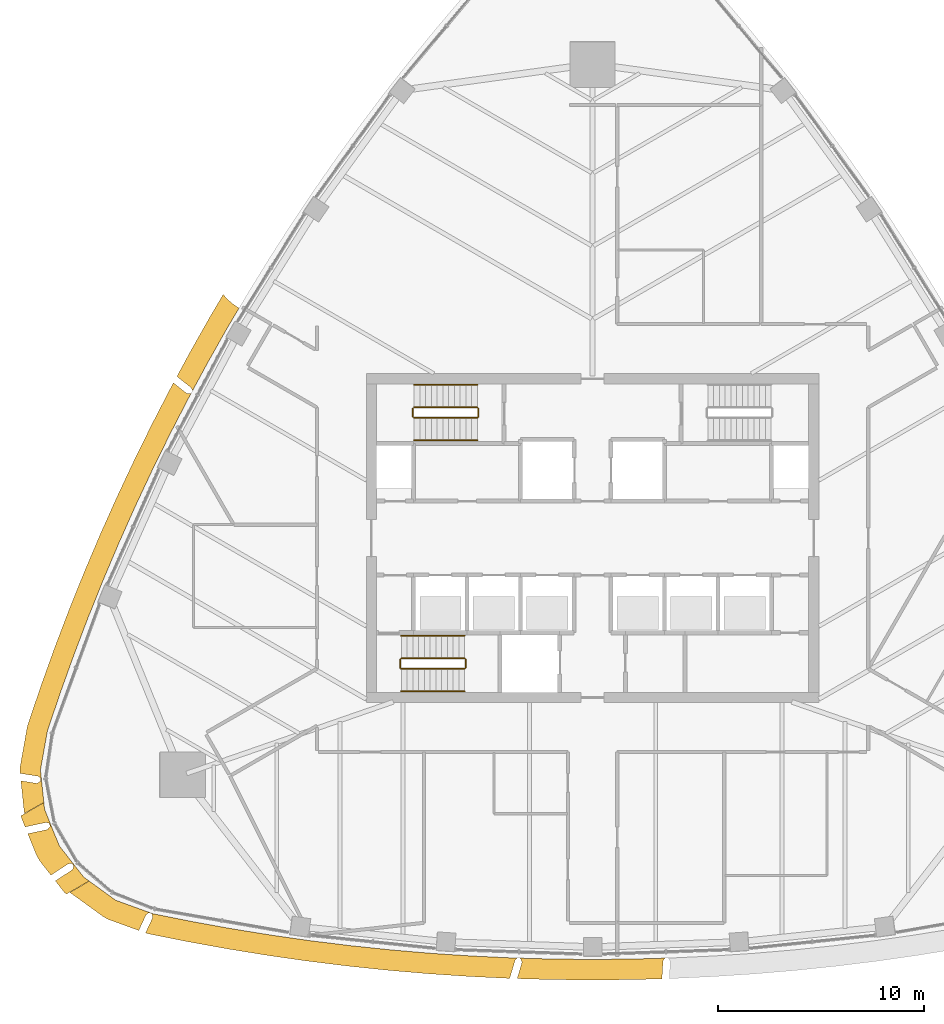
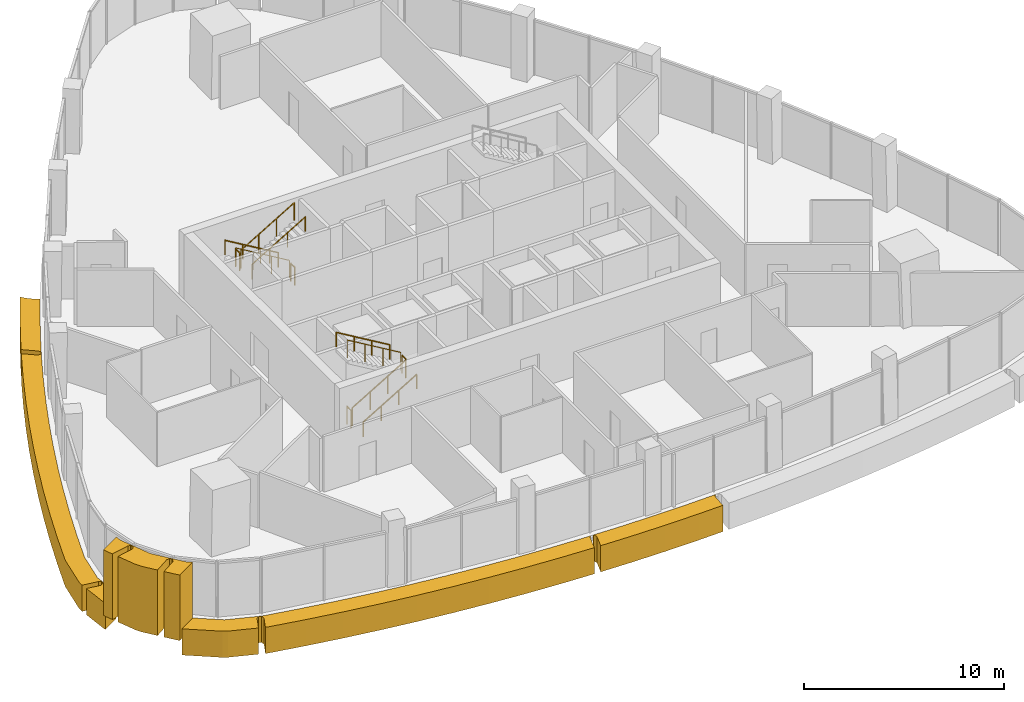
# One storey, part 12 of 15: 12 railings, 5 coverings.
"""IFC4 building model written with IfcOpenShell, lengths in metres."""

from ifc_helpers import new_model, si_unit, direction, frame, origin, origin_2d, place, context, subcontext, project, spatial, polyline, circle, outline, extrude, material, layer, layer_set, type_object, element, save


model = new_model("IFC4")

# Units and contexts
model_context = context("Model", 3, precision=1e-05, world=origin(), true_north=direction((0.0, 1.0)))
body_context = subcontext(model_context, "Body", "Model", "MODEL_VIEW")
ifc_project = project(units=[si_unit("LENGTHUNIT", "METRE"), si_unit("AREAUNIT", "SQUARE_METRE"), si_unit("VOLUMEUNIT", "CUBIC_METRE"), si_unit("PLANEANGLEUNIT", "RADIAN"), si_unit("MASSUNIT", "GRAM", prefix="KILO")], contexts=[model_context])

# Site, building, storey
site_placement = place(None, origin())
site = spatial("IfcSite", under=ifc_project, at=site_placement, CompositionType="ELEMENT")
building_placement = place(site_placement, origin())
building = spatial("IfcBuilding", under=site, at=building_placement, Name="Sierra Prisma Convention Tower", CompositionType="ELEMENT")
storey_placement = place(building_placement, frame((0.0, 0.0, 315.0)))
storey = spatial("IfcBuildingStorey", under=building, at=storey_placement, Name="L72", CompositionType="ELEMENT", Elevation=315.0)

# Coverings
ifc_material_1 = material(Name="Aluminium composite bronze anodised", Category="aluminium")
ifc_layer_1 = layer(ifc_material_1, 1.199951171875)
ifc_layer_set_1 = layer_set([ifc_layer_1], Name="Bronze corner pier")
covering_type_1 = type_object("IfcCoveringType", Name="Bronze corner pier", PredefinedType="CLADDING", material=ifc_layer_set_1)
covering_1_placement = place(storey_placement, frame((0.0, 0.0, -0.60009765625)))
element("IfcCovering", 1, at=covering_1_placement, inside=storey, type_object=covering_type_1, Name="Corner pier SW L72.1", PredefinedType="CLADDING", context=body_context, shape_type="SweptSolid", body=[
    extrude(outline(polyline([(-26.672607421875, -12.859130859375), (-26.638916015625, -13.182861328125), (-25.919921875, -14.96484375), (-24.736083984375, -16.478515625), (-24.47265625, -16.669677734375), (-25.584228515625, -17.3115234375), (-25.681396484375, -17.2177734375), (-26.114990234375, -16.663330078125), (-25.301513671875, -16.134765625), (-25.297607421875, -16.1318359375), (-25.293701171875, -16.12841796875), (-25.290283203125, -16.124755859375), (-25.287353515625, -16.12060546875), (-25.284912109375, -16.116455078125), (-25.28271484375, -16.11181640625), (-25.225341796875, -15.972412109375), (-25.223876953125, -15.968017578125), (-25.22265625, -15.96337890625), (-25.221923828125, -15.95849609375), (-25.2216796875, -15.953857421875), (-25.221923828125, -15.948974609375), (-25.222412109375, -15.9443359375), (-25.2236328125, -15.939697265625), (-25.22509765625, -15.93505859375), (-25.22705078125, -15.930908203125), (-25.2294921875, -15.926513671875), (-25.232421875, -15.922607421875), (-25.2939453125, -15.843994140625), (-25.297119140625, -15.840087890625), (-25.300537109375, -15.8369140625), (-25.304443359375, -15.833984375), (-25.30859375, -15.831298828125), (-25.312744140625, -15.8291015625), (-25.3173828125, -15.827392578125), (-25.322021484375, -15.825927734375), (-25.326904296875, -15.8251953125), (-25.33154296875, -15.82470703125), (-25.33642578125, -15.82470703125), (-25.46826171875, -15.833251953125), (-25.473388671875, -15.833984375), (-25.478515625, -15.8349609375), (-25.4833984375, -15.836669921875), (-25.48779296875, -15.838623046875), (-25.492431640625, -15.84130859375), (-26.331298828125, -16.38671875), (-26.864990234375, -15.703857421875), (-27.03271484375, -15.413818359375), (-27.453125, -14.3720703125), (-26.50830078125, -14.171630859375), (-26.503662109375, -14.17041015625), (-26.499267578125, -14.1689453125), (-26.4951171875, -14.1669921875), (-26.4912109375, -14.16455078125), (-26.4873046875, -14.161865234375), (-26.48388671875, -14.15869140625), (-26.480712890625, -14.1552734375), (-26.376708984375, -14.034423828125), (-26.37353515625, -14.030517578125), (-26.370849609375, -14.0263671875), (-26.36865234375, -14.02197265625), (-26.366943359375, -14.017333984375), (-26.36572265625, -14.012451171875), (-26.364990234375, -14.007568359375), (-26.364501953125, -14.002685546875), (-26.36474609375, -13.99755859375), (-26.365478515625, -13.99267578125), (-26.366455078125, -13.98779296875), (-26.3681640625, -13.983154296875), (-26.405517578125, -13.890380859375), (-26.40771484375, -13.8857421875), (-26.410400390625, -13.88134765625), (-26.41357421875, -13.877197265625), (-26.4169921875, -13.873291015625), (-26.4208984375, -13.8701171875), (-26.425048828125, -13.866943359375), (-26.4296875, -13.864501953125), (-26.434326171875, -13.8623046875), (-26.439208984375, -13.86083984375), (-26.557861328125, -13.829833984375), (-26.5625, -13.828857421875), (-26.56689453125, -13.828369140625), (-26.571533203125, -13.828125), (-26.576416015625, -13.82861328125), (-26.580810546875, -13.8291015625), (-27.586181640625, -14.04248046875), (-27.751708984375, -13.6318359375), (-27.7841796875, -13.5009765625), (-26.672607421875, -12.859130859375)])), origin(), (0.0, 0.0, 1.0), 4.0),
])
ifc_material_2 = material(Name="Aluminium composite bronze anodised", Category="aluminium")
ifc_layer_2 = layer(ifc_material_2, 1.0)
ifc_layer_set_2 = layer_set([ifc_layer_2], Name="Bronze spandrel band")
covering_type_2 = type_object("IfcCoveringType", Name="Bronze spandrel band", PredefinedType="CLADDING", material=ifc_layer_set_2)
covering_2_placement = place(storey_placement, frame((0.0, 0.0, -1.60009765625)))
element("IfcCovering", 2, at=covering_2_placement, inside=storey, type_object=covering_type_2, Name="Spandrel band L72.1", PredefinedType="CLADDING", context=body_context, shape_type="SweptSolid", body=[
    extrude(outline(polyline([(-23.943603515625, 0.1533203125), (-23.936279296875, 0.17041015625), (-23.13818359375, 1.95751953125), (-23.13037109375, 1.974609375), (-22.298828125, 3.74609375), (-22.290771484375, 3.762939453125), (-21.426025390625, 5.5185546875), (-21.41748046875, 5.535400390625), (-20.52001953125, 7.2744140625), (-20.51123046875, 7.291015625), (-20.37451171875, 7.5439453125), (-19.73486328125, 7.037109375), (-19.731201171875, 7.034423828125), (-19.72705078125, 7.031982421875), (-19.722900390625, 7.0302734375), (-19.718505859375, 7.028564453125), (-19.714111328125, 7.02734375), (-19.70947265625, 7.026611328125), (-19.704833984375, 7.0263671875), (-19.54541015625, 7.0234375), (-19.540283203125, 7.0234375), (-19.535400390625, 7.024169921875), (-19.530517578125, 7.025390625), (-19.52587890625, 7.02685546875), (-19.521484375, 7.029052734375), (-19.51708984375, 7.031494140625), (-19.513427734375, 7.0341796875), (-19.63134765625, 6.815673828125), (-20.529052734375, 5.076904296875), (-21.393798828125, 3.3212890625), (-22.22509765625, 1.549560546875), (-23.023193359375, -0.2373046875), (-23.787109375, -2.038818359375), (-24.517333984375, -3.8544921875), (-25.213134765625, -5.68359375), (-25.874267578125, -7.525634765625), (-26.50048828125, -9.379638671875), (-26.837646484375, -11.271484375), (-26.673828125, -12.84814453125), (-27.6083984375, -13.3876953125), (-27.633544921875, -13.2861328125), (-27.7880859375, -11.7998046875), (-27.025390625, -11.921630859375), (-27.0205078125, -11.922119140625), (-27.015380859375, -11.922119140625), (-27.010498046875, -11.921630859375), (-27.005615234375, -11.9208984375), (-27.000732421875, -11.91943359375), (-26.99609375, -11.91748046875), (-26.99169921875, -11.9150390625), (-26.84765625, -11.8291015625), (-26.843505859375, -11.826416015625), (-26.840087890625, -11.823486328125), (-26.836669921875, -11.820068359375), (-26.83349609375, -11.81640625), (-26.830810546875, -11.8125), (-26.82861328125, -11.80859375), (-26.82666015625, -11.80419921875), (-26.8251953125, -11.7998046875), (-26.823974609375, -11.795166015625), (-26.823486328125, -11.790283203125), (-26.8232421875, -11.78564453125), (-26.823486328125, -11.781005859375), (-26.833740234375, -11.681396484375), (-26.834716796875, -11.676513671875), (-26.835693359375, -11.671875), (-26.83740234375, -11.6669921875), (-26.839599609375, -11.66259765625), (-26.84228515625, -11.658447265625), (-26.84521484375, -11.654541015625), (-26.8486328125, -11.65087890625), (-26.852294921875, -11.647705078125), (-26.856201171875, -11.644775390625), (-26.95068359375, -11.58349609375), (-26.955322265625, -11.580810546875), (-26.960205078125, -11.57861328125), (-26.965087890625, -11.576904296875), (-26.97021484375, -11.575927734375), (-27.82568359375, -11.439453125), (-27.83251953125, -11.375), (-27.822265625, -11.095947265625), (-27.485107421875, -9.2041015625), (-27.447998046875, -9.0595703125), (-26.821533203125, -7.20556640625), (-26.8154296875, -7.187744140625), (-26.154296875, -5.345947265625), (-26.147705078125, -5.328125), (-25.451904296875, -3.4990234375), (-25.445068359375, -3.4814453125), (-24.715087890625, -1.665771484375), (-24.7080078125, -1.6484375), (-23.943603515625, 0.1533203125)])), origin(), (0.0, 0.0, 1.0), 1.60009765625),
])
covering_3_placement = place(storey_placement, frame((0.0, 0.0, -1.60009765625)))
element("IfcCovering", 3, at=covering_3_placement, inside=storey, type_object=covering_type_2, Name="Spandrel band L72.2", PredefinedType="CLADDING", context=body_context, shape_type="SweptSolid", body=[
    extrude(outline(polyline([(-21.373291015625, -18.26025390625), (-19.45458984375, -18.64501953125), (-17.52880859375, -18.993408203125), (-15.5966796875, -19.305419921875), (-13.659423828125, -19.580810546875), (-11.717041015625, -19.81982421875), (-9.7705078125, -20.0224609375), (-7.820556640625, -20.18798828125), (-5.867919921875, -20.31689453125), (-3.9130859375, -20.4091796875), (-3.6650390625, -20.416015625), (-3.669189453125, -20.41796875), (-3.67333984375, -20.42041015625), (-3.677490234375, -20.42333984375), (-3.68115234375, -20.426513671875), (-3.6845703125, -20.43017578125), (-3.7578125, -20.515625), (-3.760986328125, -20.52001953125), (-3.763671875, -20.5244140625), (-3.765869140625, -20.529052734375), (-3.767578125, -20.533935546875), (-4.027587890625, -21.40478515625), (-5.9150390625, -21.31591796875), (-5.933837890625, -21.314697265625), (-7.886474609375, -21.185791015625), (-7.9052734375, -21.1845703125), (-9.855224609375, -21.018798828125), (-9.8740234375, -21.01708984375), (-11.820556640625, -20.814697265625), (-11.839111328125, -20.8125), (-13.781494140625, -20.573486328125), (-13.80029296875, -20.57080078125), (-15.73779296875, -20.29541015625), (-15.75634765625, -20.29248046875), (-17.688232421875, -19.98046875), (-17.706787109375, -19.977294921875), (-19.632568359375, -19.62890625), (-19.65087890625, -19.62548828125), (-21.56982421875, -19.24072265625), (-21.713623046875, -19.20068359375), (-21.728271484375, -19.1953125), (-21.392333984375, -18.47119140625), (-21.390380859375, -18.466552734375), (-21.388916015625, -18.461669921875), (-21.38818359375, -18.456787109375), (-21.3876953125, -18.45166015625), (-21.3876953125, -18.446533203125), (-21.388427734375, -18.441650390625), (-21.4140625, -18.293212890625), (-21.4150390625, -18.28857421875), (-21.41650390625, -18.283935546875), (-21.41845703125, -18.279541015625), (-21.420654296875, -18.275390625), (-21.42333984375, -18.271484375), (-21.426513671875, -18.267822265625), (-21.429931640625, -18.264404296875), (-21.43359375, -18.261474609375), (-21.4375, -18.2587890625), (-21.44189453125, -18.256591796875), (-21.4462890625, -18.254638671875), (-21.540283203125, -18.220703125), (-21.544921875, -18.21923828125), (-21.5498046875, -18.21826171875), (-21.554443359375, -18.2177734375), (-21.559326171875, -18.2177734375), (-21.564208984375, -18.218017578125), (-21.56884765625, -18.218994140625), (-21.573486328125, -18.220458984375), (-21.578125, -18.22216796875), (-21.58251953125, -18.224365234375), (-21.58642578125, -18.22705078125), (-21.693603515625, -18.30419921875), (-21.69775390625, -18.3076171875), (-21.701416015625, -18.31103515625), (-21.70458984375, -18.315185546875), (-21.70751953125, -18.3193359375), (-21.709716796875, -18.323974609375), (-22.05859375, -19.07568359375), (-23.5205078125, -18.546875), (-23.76708984375, -18.416015625), (-25.322998046875, -17.288330078125), (-25.3984375, -17.2158203125), (-24.4638671875, -16.676025390625), (-23.180419921875, -17.6064453125), (-21.373291015625, -18.26025390625)])), origin(), (0.0, 0.0, 1.0), 1.60009765625),
])
covering_4_placement = place(storey_placement, frame((0.0, 0.0, -1.60009765625)))
element("IfcCovering", 4, at=covering_4_placement, inside=storey, type_object=covering_type_2, Name="Spandrel band L72.3", PredefinedType="CLADDING", context=body_context, shape_type="SweptSolid", body=[
    extrude(outline(polyline([(-17.73876953125, 10.241455078125), (-18.701171875, 8.53759765625), (-19.447021484375, 7.156982421875), (-19.447021484375, 7.1572265625), (-19.447021484375, 7.162353515625), (-19.447265625, 7.16748046875), (-19.447998046875, 7.172607421875), (-19.44970703125, 7.177490234375), (-19.451416015625, 7.182373046875), (-19.503173828125, 7.29345703125), (-19.50537109375, 7.297607421875), (-19.5078125, 7.301513671875), (-19.5107421875, 7.30517578125), (-19.513916015625, 7.30859375), (-19.517578125, 7.3115234375), (-20.20556640625, 7.856689453125), (-19.5810546875, 9.0126953125), (-19.572021484375, 9.029296875), (-18.609375, 10.733154296875), (-18.60009765625, 10.74951171875), (-17.950439453125, 11.850341796875), (-17.849853515625, 11.7236328125), (-17.6787109375, 11.54638671875), (-17.490966796875, 11.386962890625), (-17.28857421875, 11.24658203125), (-17.18408203125, 11.181396484375), (-17.73876953125, 10.241455078125)])), origin(), (0.0, 0.0, 1.0), 1.60009765625),
])
covering_5_placement = place(storey_placement, frame((0.0, 0.0, -1.60009765625)))
element("IfcCovering", 5, at=covering_5_placement, inside=storey, type_object=covering_type_2, Name="Spandrel band L72.7", PredefinedType="CLADDING", context=body_context, shape_type="SweptSolid", body=[
    extrude(outline(polyline([(-3.505126953125, -20.4375), (-3.508056640625, -20.43359375), (-3.51123046875, -20.43017578125), (-3.5146484375, -20.427001953125), (-3.5185546875, -20.424072265625), (-3.5224609375, -20.421630859375), (-3.525634765625, -20.420166015625), (-1.956787109375, -20.46435546875), (0.0, -20.48291015625), (1.956787109375, -20.46435546875), (3.525634765625, -20.420166015625), (3.52197265625, -20.421875), (3.517822265625, -20.424560546875), (3.513916015625, -20.427490234375), (3.510498046875, -20.430908203125), (3.50732421875, -20.434326171875), (3.50439453125, -20.4384765625), (3.43310546875, -20.549560546875), (3.4306640625, -20.553955078125), (3.428466796875, -20.55859375), (3.427001953125, -20.5634765625), (3.42578125, -20.568603515625), (3.42529296875, -20.573486328125), (3.375, -21.4248046875), (1.985107421875, -21.464111328125), (1.96630859375, -21.46435546875), (0.009521484375, -21.48291015625), (-0.009521484375, -21.48291015625), (-1.96630859375, -21.46435546875), (-1.985107421875, -21.464111328125), (-3.665771484375, -21.41650390625), (-3.432373046875, -20.634033203125), (-3.43115234375, -20.629150390625), (-3.430419921875, -20.624267578125), (-3.43017578125, -20.619384765625), (-3.430419921875, -20.6142578125), (-3.43115234375, -20.609375), (-3.4326171875, -20.6044921875), (-3.43408203125, -20.599853515625), (-3.50048828125, -20.44580078125), (-3.502685546875, -20.44140625), (-3.505126953125, -20.4375)])), origin(), (0.0, 0.0, 1.0), 1.60009765625),
])

# Railings
ifc_material_3 = material(Name="Stainless steel", Category="steel")
railing_type_1 = type_object("IfcRailingType", Name="Exit stair handrail", PredefinedType="HANDRAIL", material=ifc_material_3)
railing_1_placement = place(storey_placement, frame((-9.300048828125, -7.449951171875, 0.166748046875)))
element("IfcRailing", 6, at=railing_1_placement, inside=storey, type_object=railing_type_1, Name="L72 S1 stair handrail 1", PredefinedType="HANDRAIL", context=body_context, shape_type="SweptSolid", body=[
    extrude(circle(Radius=0.02392578125, at=origin_2d()), frame((0.0, 0.0, 0.8759765625), z_axis=(0.859308565015, 0.0, 0.511457515432), x_axis=(0.0, 1.0, 0.0)), (0.0, 0.0, 1.0), 3.58447265625),
    extrude(circle(Radius=0.02099609375, at=origin_2d()), origin(), (0.0, 0.0, 1.0), 0.851806640625),
    extrude(circle(Radius=0.02099609375, at=origin_2d()), frame((1.026611328125, 0.0, 0.611083984375)), (0.0, 0.0, 1.0), 0.851806640625),
    extrude(circle(Radius=0.02099609375, at=origin_2d()), frame((2.053466796875, 0.0, 1.22216796875)), (0.0, 0.0, 1.0), 0.851806640625),
    extrude(circle(Radius=0.02099609375, at=origin_2d()), frame((3.080078125, 0.0, 1.833251953125)), (0.0, 0.0, 1.0), 0.851806640625),
])
railing_2_placement = place(storey_placement, frame((-6.219970703125, -4.75, 2.166748046875)))
element("IfcRailing", 7, at=railing_2_placement, inside=storey, type_object=railing_type_1, Name="L72 S1 stair handrail 2", PredefinedType="HANDRAIL", context=body_context, shape_type="SweptSolid", body=[
    extrude(circle(Radius=0.02392578125, at=origin_2d()), frame((0.0, 0.0, 0.8759765625), z_axis=(-0.859308565015, 0.0, 0.511457515432), x_axis=(0.0, -1.0, 0.0)), (0.0, 0.0, 1.0), 3.58447265625),
    extrude(circle(Radius=0.02099609375, at=origin_2d()), origin(), (0.0, 0.0, 1.0), 0.851806640625),
    extrude(circle(Radius=0.02099609375, at=origin_2d()), frame((-1.026611328125, 0.0, 0.611083984375)), (0.0, 0.0, 1.0), 0.851806640625),
    extrude(circle(Radius=0.02099609375, at=origin_2d()), frame((-2.053466796875, 0.0, 1.22216796875)), (0.0, 0.0, 1.0), 0.851806640625),
    extrude(circle(Radius=0.02099609375, at=origin_2d()), frame((-3.080078125, 0.0, 1.833251953125)), (0.0, 0.0, 1.0), 0.851806640625),
])
railing_3_placement = place(storey_placement, frame((-5.60009765625, 7.449951171875, 0.166748046875)))
element("IfcRailing", 8, at=railing_3_placement, inside=storey, type_object=railing_type_1, Name="L72 S3 stair handrail 1", PredefinedType="HANDRAIL", context=body_context, shape_type="SweptSolid", body=[
    extrude(circle(Radius=0.02392578125, at=origin_2d()), frame((0.0, 0.0, 0.8759765625), z_axis=(-0.859290745958, 0.0, 0.51148745235), x_axis=(0.0, -1.0, 0.0)), (0.0, 0.0, 1.0), 3.584228515625),
    extrude(circle(Radius=0.02099609375, at=origin_2d()), origin(), (0.0, 0.0, 1.0), 0.851806640625),
    extrude(circle(Radius=0.02099609375, at=origin_2d()), frame((-1.026611328125, 0.0, 0.611083984375)), (0.0, 0.0, 1.0), 0.851806640625),
    extrude(circle(Radius=0.02099609375, at=origin_2d()), frame((-2.05322265625, 0.0, 1.22216796875)), (0.0, 0.0, 1.0), 0.851806640625),
    extrude(circle(Radius=0.02099609375, at=origin_2d()), frame((-3.079833984375, 0.0, 1.833251953125)), (0.0, 0.0, 1.0), 0.851806640625),
])
railing_4_placement = place(storey_placement, frame((-8.679931640625, 4.75, 2.166748046875)))
element("IfcRailing", 9, at=railing_4_placement, inside=storey, type_object=railing_type_1, Name="L72 S3 stair handrail 2", PredefinedType="HANDRAIL", context=body_context, shape_type="SweptSolid", body=[
    extrude(circle(Radius=0.02392578125, at=origin_2d()), frame((0.0, 0.0, 0.8759765625), z_axis=(0.859290745958, 0.0, 0.51148745235), x_axis=(0.0, 1.0, 0.0)), (0.0, 0.0, 1.0), 3.584228515625),
    extrude(circle(Radius=0.02099609375, at=origin_2d()), origin(), (0.0, 0.0, 1.0), 0.851806640625),
    extrude(circle(Radius=0.02099609375, at=origin_2d()), frame((1.026611328125, 0.0, 0.611083984375)), (0.0, 0.0, 1.0), 0.851806640625),
    extrude(circle(Radius=0.02099609375, at=origin_2d()), frame((2.05322265625, 0.0, 1.22216796875)), (0.0, 0.0, 1.0), 0.851806640625),
    extrude(circle(Radius=0.02099609375, at=origin_2d()), frame((3.079833984375, 0.0, 1.833251953125)), (0.0, 0.0, 1.0), 0.851806640625),
])
ifc_material_4 = material(Name="Stainless steel", Category="steel")
railing_type_2 = type_object("IfcRailingType", Name="Stair guard 1100", PredefinedType="GUARDRAIL", material=ifc_material_4)
railing_5_placement = place(storey_placement, frame((-9.300048828125, -6.35009765625, 0.166748046875)))
element("IfcRailing", 10, at=railing_5_placement, inside=storey, type_object=railing_type_2, Name="L72 S1 stair guard 1", PredefinedType="GUARDRAIL", context=body_context, shape_type="SweptSolid", body=[
    extrude(circle(Radius=0.02392578125, at=origin_2d()), frame((0.0, 0.0, 1.076171875), z_axis=(0.859308565015, 0.0, 0.511457515432), x_axis=(0.0, 1.0, 0.0)), (0.0, 0.0, 1.0), 3.58447265625),
    extrude(circle(Radius=0.02099609375, at=origin_2d()), origin(), (0.0, 0.0, 1.0), 1.052001953125),
    extrude(circle(Radius=0.02099609375, at=origin_2d()), frame((1.026611328125, 0.0, 0.611083984375)), (0.0, 0.0, 1.0), 1.052001953125),
    extrude(circle(Radius=0.02099609375, at=origin_2d()), frame((2.053466796875, 0.0, 1.22216796875)), (0.0, 0.0, 1.0), 1.052001953125),
    extrude(circle(Radius=0.02099609375, at=origin_2d()), frame((3.080078125, 0.0, 1.833251953125)), (0.0, 0.0, 1.0), 1.052001953125),
])
railing_6_placement = place(storey_placement, frame((-6.169921875, -6.300048828125, 2.0)))
element("IfcRailing", 11, at=railing_6_placement, inside=storey, type_object=railing_type_2, Name="L72 S1 stair guard 2", PredefinedType="GUARDRAIL", context=body_context, shape_type="SweptSolid", body=[
    extrude(circle(Radius=0.02392578125, at=origin_2d()), frame((0.0, 0.0, 1.076171875), z_axis=(0.0, 1.0, 0.0), x_axis=(-1.0, 0.0, 0.0)), (0.0, 0.0, 1.0), 0.400146484375),
    extrude(circle(Radius=0.02099609375, at=origin_2d()), origin(), (0.0, 0.0, 1.0), 1.052001953125),
    extrude(circle(Radius=0.02099609375, at=origin_2d()), frame((0.0, 0.400146484375, 0.0)), (0.0, 0.0, 1.0), 1.052001953125),
])
railing_7_placement = place(storey_placement, frame((-6.219970703125, -5.85009765625, 2.166748046875)))
element("IfcRailing", 12, at=railing_7_placement, inside=storey, type_object=railing_type_2, Name="L72 S1 stair guard 3", PredefinedType="GUARDRAIL", context=body_context, shape_type="SweptSolid", body=[
    extrude(circle(Radius=0.02392578125, at=origin_2d()), frame((0.0, 0.0, 1.076171875), z_axis=(-0.859308565015, 0.0, 0.511457515432), x_axis=(0.0, -1.0, 0.0)), (0.0, 0.0, 1.0), 3.58447265625),
    extrude(circle(Radius=0.02099609375, at=origin_2d()), origin(), (0.0, 0.0, 1.0), 1.052001953125),
    extrude(circle(Radius=0.02099609375, at=origin_2d()), frame((-1.026611328125, 0.0, 0.611083984375)), (0.0, 0.0, 1.0), 1.052001953125),
    extrude(circle(Radius=0.02099609375, at=origin_2d()), frame((-2.053466796875, 0.0, 1.22216796875)), (0.0, 0.0, 1.0), 1.052001953125),
    extrude(circle(Radius=0.02099609375, at=origin_2d()), frame((-3.080078125, 0.0, 1.833251953125)), (0.0, 0.0, 1.0), 1.052001953125),
])
railing_8_placement = place(storey_placement, frame((-9.35009765625, -6.300048828125, 0.0)))
element("IfcRailing", 13, at=railing_8_placement, inside=storey, type_object=railing_type_2, Name="L72 S1 stair guard 4", PredefinedType="GUARDRAIL", context=body_context, shape_type="SweptSolid", body=[
    extrude(circle(Radius=0.02392578125, at=origin_2d()), frame((0.0, 0.0, 1.076171875), z_axis=(0.0, 1.0, 0.0), x_axis=(-1.0, 0.0, 0.0)), (0.0, 0.0, 1.0), 0.400146484375),
    extrude(circle(Radius=0.02099609375, at=origin_2d()), origin(), (0.0, 0.0, 1.0), 1.052001953125),
    extrude(circle(Radius=0.02099609375, at=origin_2d()), frame((0.0, 0.400146484375, 0.0)), (0.0, 0.0, 1.0), 1.052001953125),
])
railing_9_placement = place(storey_placement, frame((-5.60009765625, 6.35009765625, 0.166748046875)))
element("IfcRailing", 14, at=railing_9_placement, inside=storey, type_object=railing_type_2, Name="L72 S3 stair guard 1", PredefinedType="GUARDRAIL", context=body_context, shape_type="SweptSolid", body=[
    extrude(circle(Radius=0.02392578125, at=origin_2d()), frame((0.0, 0.0, 1.076171875), z_axis=(-0.859290745958, 0.0, 0.51148745235), x_axis=(0.0, -1.0, 0.0)), (0.0, 0.0, 1.0), 3.584228515625),
    extrude(circle(Radius=0.02099609375, at=origin_2d()), origin(), (0.0, 0.0, 1.0), 1.052001953125),
    extrude(circle(Radius=0.02099609375, at=origin_2d()), frame((-1.026611328125, 0.0, 0.611083984375)), (0.0, 0.0, 1.0), 1.052001953125),
    extrude(circle(Radius=0.02099609375, at=origin_2d()), frame((-2.05322265625, 0.0, 1.22216796875)), (0.0, 0.0, 1.0), 1.052001953125),
    extrude(circle(Radius=0.02099609375, at=origin_2d()), frame((-3.079833984375, 0.0, 1.833251953125)), (0.0, 0.0, 1.0), 1.052001953125),
])
railing_10_placement = place(storey_placement, frame((-8.72998046875, 6.300048828125, 2.0)))
element("IfcRailing", 15, at=railing_10_placement, inside=storey, type_object=railing_type_2, Name="L72 S3 stair guard 2", PredefinedType="GUARDRAIL", context=body_context, shape_type="SweptSolid", body=[
    extrude(circle(Radius=0.02392578125, at=origin_2d()), frame((0.0, 0.0, 1.076171875), z_axis=(0.0, -1.0, 0.0), x_axis=(1.0, 0.0, 0.0)), (0.0, 0.0, 1.0), 0.400146484375),
    extrude(circle(Radius=0.02099609375, at=origin_2d()), origin(), (0.0, 0.0, 1.0), 1.052001953125),
    extrude(circle(Radius=0.02099609375, at=origin_2d()), frame((0.0, -0.400146484375, 0.0)), (0.0, 0.0, 1.0), 1.052001953125),
])
railing_11_placement = place(storey_placement, frame((-8.679931640625, 5.85009765625, 2.166748046875)))
element("IfcRailing", 16, at=railing_11_placement, inside=storey, type_object=railing_type_2, Name="L72 S3 stair guard 3", PredefinedType="GUARDRAIL", context=body_context, shape_type="SweptSolid", body=[
    extrude(circle(Radius=0.02392578125, at=origin_2d()), frame((0.0, 0.0, 1.076171875), z_axis=(0.859290745958, 0.0, 0.51148745235), x_axis=(0.0, 1.0, 0.0)), (0.0, 0.0, 1.0), 3.584228515625),
    extrude(circle(Radius=0.02099609375, at=origin_2d()), origin(), (0.0, 0.0, 1.0), 1.052001953125),
    extrude(circle(Radius=0.02099609375, at=origin_2d()), frame((1.026611328125, 0.0, 0.611083984375)), (0.0, 0.0, 1.0), 1.052001953125),
    extrude(circle(Radius=0.02099609375, at=origin_2d()), frame((2.05322265625, 0.0, 1.22216796875)), (0.0, 0.0, 1.0), 1.052001953125),
    extrude(circle(Radius=0.02099609375, at=origin_2d()), frame((3.079833984375, 0.0, 1.833251953125)), (0.0, 0.0, 1.0), 1.052001953125),
])
railing_12_placement = place(storey_placement, frame((-5.550048828125, 6.300048828125, 0.0)))
element("IfcRailing", 17, at=railing_12_placement, inside=storey, type_object=railing_type_2, Name="L72 S3 stair guard 4", PredefinedType="GUARDRAIL", context=body_context, shape_type="SweptSolid", body=[
    extrude(circle(Radius=0.02392578125, at=origin_2d()), frame((0.0, 0.0, 1.076171875), z_axis=(0.0, -1.0, 0.0), x_axis=(1.0, 0.0, 0.0)), (0.0, 0.0, 1.0), 0.400146484375),
    extrude(circle(Radius=0.02099609375, at=origin_2d()), origin(), (0.0, 0.0, 1.0), 1.052001953125),
    extrude(circle(Radius=0.02099609375, at=origin_2d()), frame((0.0, -0.400146484375, 0.0)), (0.0, 0.0, 1.0), 1.052001953125),
])

save(model, "model.ifc")
